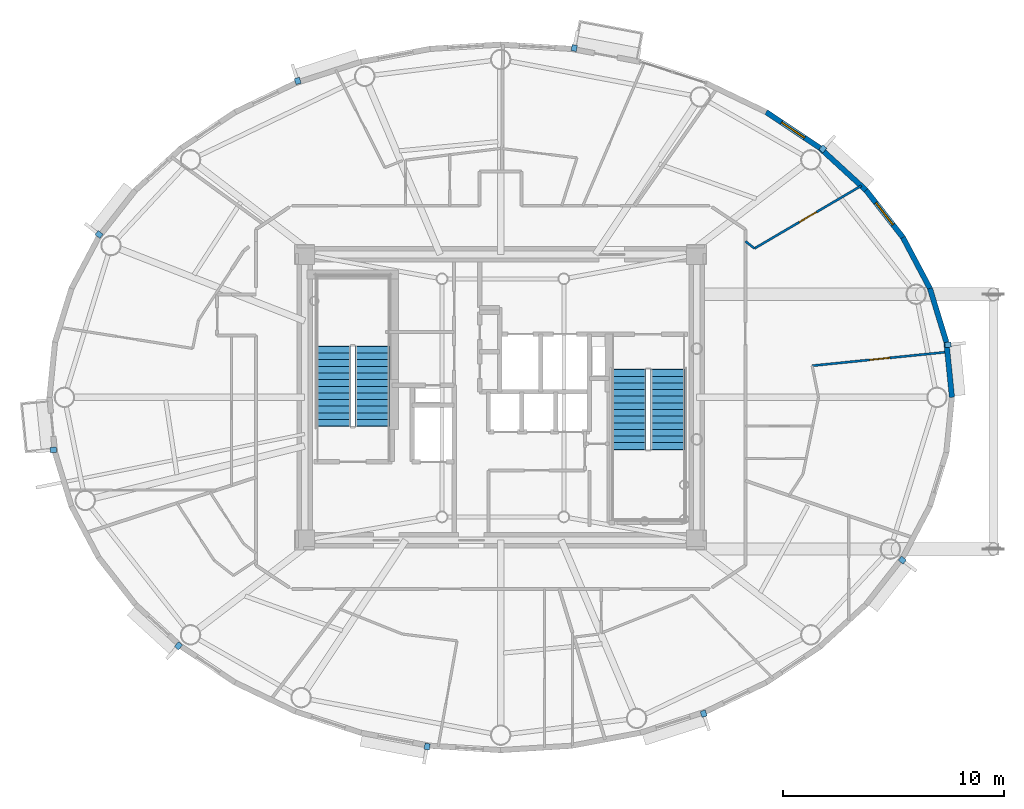
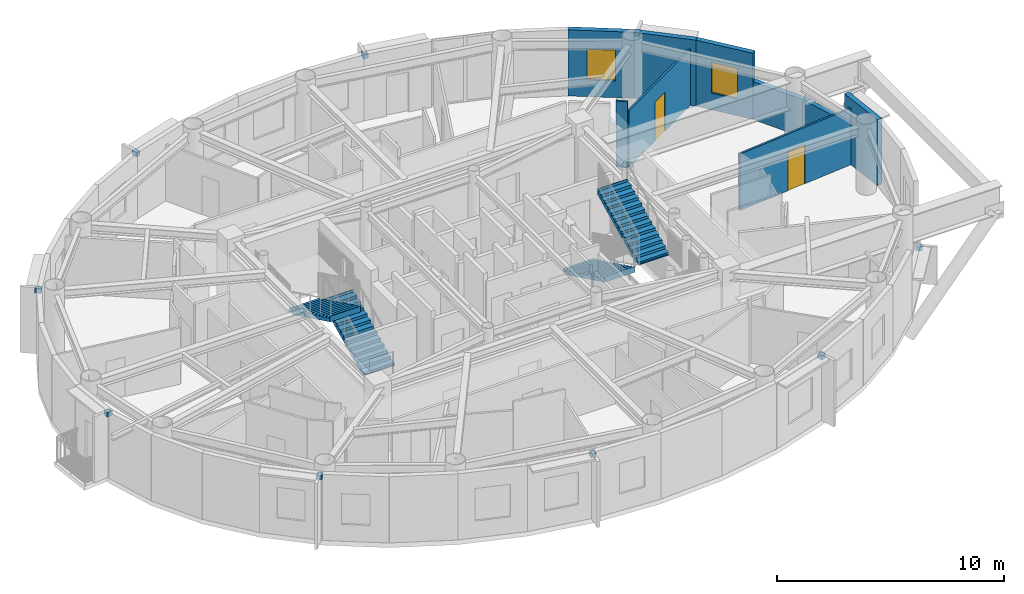
# One storey, part 10 of 17: 10 discrete accessories, 9 walls, 4 stair flights, 2 doors, 2 windows, 4 openings, 2 elements without a shape of their own.
"""IFC4 building model written with IfcOpenShell, lengths in metres."""

import ifcopenshell
import ifcopenshell.guid

model = None  # the IFC model being written
_history = None  # IfcOwnerHistory: only IFC2X3 demands one
_inside = {}  # id of a spatial element -> (the spatial element, [elements in it])
_under = {}  # id of a project, library or spatial element -> (it, [spatial elements below it])
_declared = {}  # id of a project -> (the project, [libraries it declares])
_typed = {}  # id of a type object -> (the type object, [elements of that type])
_made_of = {}  # id of a material, layer set ... -> (it, [elements and type objects made of it])


def new_model(schema):
    """Start an empty IFC model of exactly this schema.

    Asked for "IFC4X3", IfcOpenShell would pick the latest addendum, in which some entities
    have other attributes; the version numbers below select the first issue.
    IFC2X3 requires an IfcOwnerHistory on every rooted entity: one is made here for all.
    """
    global model, _history
    if schema == "IFC4X3":
        model = ifcopenshell.file(schema_version=(4, 3, 0, 0))
    else:
        model = ifcopenshell.file(schema=schema)
    _inside.clear()
    _under.clear()
    _declared.clear()
    _typed.clear()
    _made_of.clear()
    _history = None
    if model.schema == "IFC2X3":
        org = make("IfcOrganization", Name="unknown")
        user = make(
            "IfcPersonAndOrganization",
            ThePerson=make("IfcPerson", FamilyName="unknown"),
            TheOrganization=org,
        )
        app = make(
            "IfcApplication",
            ApplicationDeveloper=org,
            Version="unknown",
            ApplicationFullName="unknown",
            ApplicationIdentifier="unknown",
        )
        _history = make(
            "IfcOwnerHistory",
            OwningUser=user,
            OwningApplication=app,
            ChangeAction="ADDED",
            CreationDate=0,
        )
    return model


def make(cls, **values):
    """One entity of the class cls with the attributes given. An attribute that is None is left unset."""
    return model.create_entity(
        cls, **{name: value for name, value in values.items() if value is not None}
    )


def rooted(cls, **values):
    """An entity with a GlobalId (a new one), such as an element, a storey or a relation."""
    return make(cls, GlobalId=ifcopenshell.guid.new(), OwnerHistory=_history, **values)


def si_unit(unit_type, name, prefix=None):
    """IfcSIUnit, for example si_unit("LENGTHUNIT", "METRE", prefix="MILLI")."""
    return make("IfcSIUnit", UnitType=unit_type, Prefix=prefix, Name=name)


def assignment(units):
    """IfcUnitAssignment: the units of a project."""
    return None if units is None else make("IfcUnitAssignment", Units=units)


def point(xyz):
    """IfcCartesianPoint."""
    return None if xyz is None else make("IfcCartesianPoint", Coordinates=xyz)


def direction(xyz):
    """IfcDirection."""
    return None if xyz is None else make("IfcDirection", DirectionRatios=xyz)


def frame(location, z_axis=None, x_axis=None):
    """IfcAxis2Placement3D, a coordinate frame: its origin and axes. An axis left out is left unset."""
    return make(
        "IfcAxis2Placement3D",
        Location=point(location),
        Axis=direction(z_axis),
        RefDirection=direction(x_axis),
    )


def frame_2d(location, x_axis=None):
    """IfcAxis2Placement2D, a coordinate frame in the plane: its origin and x axis."""
    return make(
        "IfcAxis2Placement2D", Location=point(location), RefDirection=direction(x_axis)
    )


def origin():
    """The frame at (0, 0, 0) with its axes left unset."""
    return frame((0.0, 0.0, 0.0))


def origin_2d():
    """The frame at (0, 0) in the plane with its x axis left unset."""
    return frame_2d((0.0, 0.0))


def place(relative_to, where):
    """IfcLocalPlacement: puts the frame where relative to a parent placement (None: the world)."""
    return make(
        "IfcLocalPlacement", PlacementRelTo=relative_to, RelativePlacement=where
    )


def context(
    kind, dimensions, precision=None, world=None, true_north=None, identifier=None
):
    """IfcGeometricRepresentationContext, for example the 3D "Model" context."""
    return make(
        "IfcGeometricRepresentationContext",
        ContextIdentifier=identifier,
        ContextType=kind,
        CoordinateSpaceDimension=dimensions,
        Precision=precision,
        WorldCoordinateSystem=world,
        TrueNorth=true_north,
    )


def subcontext(parent, identifier, kind, view, scale=None):
    """IfcGeometricRepresentationSubContext, for example "Body" below "Model"."""
    return make(
        "IfcGeometricRepresentationSubContext",
        ContextIdentifier=identifier,
        ContextType=kind,
        ParentContext=parent,
        TargetScale=scale,
        TargetView=view,
    )


def project(units=None, contexts=None):
    """IfcProject with its units and contexts."""
    return rooted(
        "IfcProject",
        Name="project",
        RepresentationContexts=contexts,
        UnitsInContext=assignment(units),
    )


def spatial(cls, under=None, at=None, **own):
    """A site, building, storey or space (cls), placed at a placement, below another one or the project."""
    s = rooted(cls, ObjectPlacement=at, **own)
    if under is not None:
        _under.setdefault(under.id(), (under, []))[1].append(s)
    return s


def polyline(points):
    """IfcPolyline through the points."""
    return make("IfcPolyline", Points=[point(p) for p in points])


def profile(cls, at=None, kind="AREA", **sizes):
    """A parametric profile (cls). Its sizes go by their IFC names, for example OverallWidth=200.0."""
    return make(cls, ProfileType=kind, Position=at, **sizes)


def rectangle(**sizes):
    """IfcRectangleProfileDef."""
    return profile("IfcRectangleProfileDef", **sizes)


def outline(outer, holes=None, kind="AREA"):
    """IfcArbitraryClosedProfileDef: a profile drawn as a closed curve; with holes, ...WithVoids."""
    if holes is None:
        return make("IfcArbitraryClosedProfileDef", ProfileType=kind, OuterCurve=outer)
    return make(
        "IfcArbitraryProfileDefWithVoids",
        ProfileType=kind,
        OuterCurve=outer,
        InnerCurves=holes,
    )


def extrude(swept, where, along, depth):
    """IfcExtrudedAreaSolid: the profile swept, set in the frame where, extruded along a direction by depth."""
    return make(
        "IfcExtrudedAreaSolid",
        SweptArea=swept,
        Position=where,
        ExtrudedDirection=direction(along),
        Depth=depth,
    )


def shape(context_of_items, identifier, shape_type, items):
    """IfcShapeRepresentation: the items that make up one representation, for example the "Body"."""
    return make(
        "IfcShapeRepresentation",
        ContextOfItems=context_of_items,
        RepresentationIdentifier=identifier,
        RepresentationType=shape_type,
        Items=items,
    )


def source(mapping_origin, context_of_items, identifier, shape_type, items):
    """IfcRepresentationMap: a shape defined once, which mapped items show again and again."""
    return make(
        "IfcRepresentationMap",
        MappingOrigin=mapping_origin,
        MappedRepresentation=shape(context_of_items, identifier, shape_type, items),
    )


def transform(
    local_origin,
    x_axis=None,
    y_axis=None,
    z_axis=None,
    scale=None,
    scale2=None,
    scale3=None,
    uniform=True,
):
    """IfcCartesianTransformationOperator3D, or its non-uniform kind. x_axis, y_axis, z_axis: its Axis1, 2, 3."""
    if uniform:
        return make(
            "IfcCartesianTransformationOperator3D",
            Axis1=direction(x_axis),
            Axis2=direction(y_axis),
            LocalOrigin=point(local_origin),
            Scale=scale,
            Axis3=direction(z_axis),
        )
    return make(
        "IfcCartesianTransformationOperator3DnonUniform",
        Axis1=direction(x_axis),
        Axis2=direction(y_axis),
        LocalOrigin=point(local_origin),
        Scale=scale,
        Axis3=direction(z_axis),
        Scale2=scale2,
        Scale3=scale3,
    )


def mapped(mapping_source, mapping_target):
    """IfcMappedItem: shows the shape of a source again, moved by a transform."""
    return make(
        "IfcMappedItem", MappingSource=mapping_source, MappingTarget=mapping_target
    )


def material(Name=None, Category=None):
    """IfcMaterial."""
    return make("IfcMaterial", Name=Name, Category=Category)


def layer(
    of_material, thickness, ventilated=None, Name=None, Category=None, Priority=None
):
    """IfcMaterialLayer: one layer of a wall or slab, of a material (None: an air gap)."""
    return make(
        "IfcMaterialLayer",
        Material=of_material,
        LayerThickness=thickness,
        IsVentilated=ventilated,
        Name=Name,
        Category=Category,
        Priority=Priority,
    )


def layer_set(layers, Name=None):
    """IfcMaterialLayerSet."""
    return make("IfcMaterialLayerSet", MaterialLayers=layers, LayerSetName=Name)


def made_of(thing, what):
    """Note that an element or type object is made of a material, layer set ...; save() writes the relation."""
    if what is not None:
        _made_of.setdefault(what.id(), (what, []))[1].append(thing)
    return thing


def type_object(cls, material=None, **own):
    """A type object (cls), such as IfcWallType, which elements share."""
    return made_of(rooted(cls, **own), material)


def element(
    cls,
    number,
    at=None,
    inside=None,
    cuts=None,
    type_object=None,
    material=None,
    context=None,
    identifier="Body",
    shape_type=None,
    held_by="IfcProductDefinitionShape",
    body=None,
    shapes=None,
    **own,
):
    """One element of the class cls, such as IfcWall. Its Tag is "e" and its number.

    at: its placement. inside: the storey or other place that contains it. cuts: it is an
    opening in that element (IfcRelVoidsElement). A single representation is given by context,
    identifier, shape_type and body (its items); several are given by shapes. held_by: the class
    of the entity that holds the representations. save() writes the other relations.
    """
    e = rooted(cls, Tag="e%d" % number, ObjectPlacement=at, **own)
    if body is not None:
        shapes = [shape(context, identifier, shape_type, body)]
    if shapes is not None:
        e.Representation = make(held_by, Representations=shapes)
    if inside is not None:
        _inside.setdefault(inside.id(), (inside, []))[1].append(e)
    if cuts is not None:
        rooted(
            "IfcRelVoidsElement", RelatingBuildingElement=cuts, RelatedOpeningElement=e
        )
    if type_object is not None:
        _typed.setdefault(type_object.id(), (type_object, []))[1].append(e)
    return made_of(e, material)


def fill(opening, filler):
    """IfcRelFillsElement: the door or window that sits in an opening."""
    return rooted(
        "IfcRelFillsElement",
        RelatingOpeningElement=opening,
        RelatedBuildingElement=filler,
    )


def aggregate(whole, parts):
    """IfcRelAggregates: a whole, such as a stair, and the parts it consists of."""
    return rooted("IfcRelAggregates", RelatingObject=whole, RelatedObjects=parts)


def save(model, path):
    """Write the relations noted so far, then the file.

    IfcRelAggregates (storeys below a building ...), IfcRelContainedInSpatialStructure (elements
    in a storey), IfcRelDefinesByType, IfcRelAssociatesMaterial and IfcRelDeclares: one each for
    every whole, place, type object, material and project.
    """
    for whole, parts in _under.values():
        aggregate(whole, parts)
    for where, things in _inside.values():
        rooted(
            "IfcRelContainedInSpatialStructure",
            RelatedElements=things,
            RelatingStructure=where,
        )
    for kind, things in _typed.values():
        rooted("IfcRelDefinesByType", RelatedObjects=things, RelatingType=kind)
    for what, things in _made_of.values():
        rooted("IfcRelAssociatesMaterial", RelatedObjects=things, RelatingMaterial=what)
    for by, libraries in _declared.values():
        rooted("IfcRelDeclares", RelatingContext=by, RelatedDefinitions=libraries)
    model.write(path)


model = new_model("IFC4")

# Units and contexts
model_context = context("Model", 3, precision=1e-05, world=origin(), true_north=direction((0.0, 1.0)))
body_context = subcontext(model_context, "Body", "Model", "MODEL_VIEW")
ifc_project = project(units=[si_unit("LENGTHUNIT", "METRE"), si_unit("AREAUNIT", "SQUARE_METRE"), si_unit("VOLUMEUNIT", "CUBIC_METRE"), si_unit("PLANEANGLEUNIT", "RADIAN"), si_unit("MASSUNIT", "GRAM", prefix="KILO")], contexts=[model_context])

# Site, building, storey
site_placement = place(None, origin())
site = spatial("IfcSite", under=ifc_project, at=site_placement, CompositionType="ELEMENT")
building_placement = place(site_placement, origin())
building = spatial("IfcBuilding", under=site, at=building_placement, Name="Linh Dai School and Residence Tower", CompositionType="ELEMENT")
storey_placement = place(building_placement, frame((0.0, 0.0, 335.39990234375)))
storey = spatial("IfcBuildingStorey", under=building, at=storey_placement, Name="L83", CompositionType="ELEMENT", Elevation=335.39990234375)

# Walls
ifc_material_1 = material(Name="Precast Concrete B45 (C35/45)", Category="concrete")
ifc_layer_1 = layer(ifc_material_1, 0.239990234375)
ifc_layer_set_1 = layer_set([ifc_layer_1], Name="Precast Concrete B45 (C35/45)")
wall_type_1 = type_object("IfcWallType", Name="EW-TC-240", PredefinedType="SOLIDWALL", material=ifc_layer_set_1)
wall_1_placement = place(storey_placement, frame((56.125, 29.48681640625, 0.0), z_axis=(0.0, 0.0, 1.0), x_axis=(0.100025963401, -0.994984827344, 0.0)))
element("IfcWall", 1, at=wall_1_placement, inside=storey, type_object=wall_type_1, Name="L83 Terracotta Exterior Wall 01", PredefinedType="SOLIDWALL", context=body_context, shape_type="SweptSolid", body=[
    extrude(rectangle(XDim=2.499267578125, YDim=0.239990234375, at=frame_2d((1.24951171875, 0.0))), origin(), (0.0, 0.0, 1.0), 3.550048828125),
])
wall_2_placement = place(storey_placement, frame((55.381103515625, 31.913330078125, 0.0), z_axis=(0.0, 0.0, 1.0), x_axis=(0.293105547213, -0.956080089842, 0.0)))
element("IfcWall", 2, at=wall_2_placement, inside=storey, type_object=wall_type_1, Name="L83 Terracotta Exterior Wall 02", PredefinedType="SOLIDWALL", context=body_context, shape_type="SweptSolid", body=[
    extrude(rectangle(XDim=2.5380859375, YDim=0.239990234375, at=frame_2d((1.26904296875, 0.0))), origin(), (0.0, 0.0, 1.0), 2.03515625),
])
wall_3_placement = place(storey_placement, frame((54.160888671875, 34.220703125, 0.0), z_axis=(0.0, 0.0, 1.0), x_axis=(0.467487999989, -0.883999417345, 0.0)))
element("IfcWall", 3, at=wall_3_placement, inside=storey, type_object=wall_type_1, Name="L83 Terracotta Exterior Wall 03", PredefinedType="SOLIDWALL", context=body_context, shape_type="SweptSolid", body=[
    extrude(rectangle(XDim=2.610107421875, YDim=0.239990234375, at=frame_2d((1.30517578125, 0.0))), origin(), (0.0, 0.0, 1.0), 2.03515625),
])

# Wall, opening, window
wall_4_placement = place(storey_placement, frame((52.4931640625, 36.351806640625, 0.0), z_axis=(0.0, 0.0, 1.0), x_axis=(0.616286367698, -0.78752213492, 0.0)))
wall_4 = element("IfcWall", 4, at=wall_4_placement, inside=storey, type_object=wall_type_1, Name="L83 Terracotta Exterior Wall 04", PredefinedType="SOLIDWALL", context=body_context, shape_type="SweptSolid", body=[
    extrude(rectangle(XDim=2.7060546875, YDim=0.239990234375, at=frame_2d((1.35302734375, 0.0))), origin(), (0.0, 0.0, 1.0), 3.550048828125),
])
opening_1_placement = place(wall_4_placement, frame((0.72802734375, 0.0, 0.89990234375)))
opening_1 = element("IfcOpeningElement", 5, at=opening_1_placement, cuts=wall_4, Name="Opening W3", PredefinedType="OPENING", context=body_context, shape_type="SweptSolid", body=[
    extrude(rectangle(XDim=1.25, YDim=1.64990234375, at=origin_2d()), frame((0.625, 0.1298828125, 0.824951171875), z_axis=(0.0, -1.0, 0.0), x_axis=(1.0, 0.0, 0.0)), (0.0, 0.0, 1.0), 0.260009765625),
])
ifc_material_2 = material(Name="Double Low-E Insulated Glazing", Category="glass")
window_type = type_object("IfcWindowType", Name="WN-RES-1250x1650", PartitioningType="SINGLE_PANEL", PredefinedType="WINDOW", material=ifc_material_2)
shared_shape_1 = source(origin(), body_context, "Body", "SweptSolid", [
    extrude(rectangle(XDim=1.25, YDim=1.64990234375, at=origin_2d()), frame((0.625, 0.030029296875, 0.824951171875), z_axis=(0.0, -1.0, 0.0), x_axis=(1.0, 0.0, 0.0)), (0.0, 0.0, 1.0), 0.06005859375),
])
window_1_placement = place(opening_1_placement, origin())
window_1 = element("IfcWindow", 6, at=window_1_placement, inside=storey, type_object=window_type, Name="L83 Dwelling Window U8307-LIV", OverallHeight=1.64990234375, OverallWidth=1.25, PartitioningType="SINGLE_PANEL", PredefinedType="WINDOW", context=body_context, shape_type="MappedRepresentation", body=[
    mapped(shared_shape_1, transform((0.0, 0.0, 0.0), x_axis=(1.0, 0.0, 0.0), y_axis=(0.0, 1.0, 0.0), z_axis=(0.0, 0.0, 1.0), scale=1.0)),
])
fill(opening_1, window_1)

# Wall
wall_5_placement = place(storey_placement, frame((50.418701171875, 38.254150390625, 0.0), z_axis=(0.0, 0.0, 1.0), x_axis=(0.737020907932, -0.675869944051, 0.0)))
element("IfcWall", 7, at=wall_5_placement, inside=storey, type_object=wall_type_1, Name="L83 Terracotta Exterior Wall 05", PredefinedType="SOLIDWALL", context=body_context, shape_type="SweptSolid", body=[
    extrude(rectangle(XDim=2.814697265625, YDim=0.239990234375, at=frame_2d((1.4072265625, 0.0))), origin(), (0.0, 0.0, 1.0), 3.550048828125),
])

# Wall, opening, window
wall_6_placement = place(storey_placement, frame((47.98779296875, 39.880126953125, 0.0), z_axis=(0.0, 0.0, 1.0), x_axis=(0.831201688654, -0.555970999944, 0.0)))
wall_6 = element("IfcWall", 8, at=wall_6_placement, inside=storey, type_object=wall_type_1, Name="L83 Terracotta Exterior Wall 06", PredefinedType="SOLIDWALL", context=body_context, shape_type="SweptSolid", body=[
    extrude(rectangle(XDim=2.924560546875, YDim=0.239990234375, at=frame_2d((1.46240234375, 0.0))), origin(), (0.0, 0.0, 1.0), 3.550048828125),
])
opening_2_placement = place(wall_6_placement, frame((0.837158203125, 0.0, 0.89990234375)))
opening_2 = element("IfcOpeningElement", 9, at=opening_2_placement, cuts=wall_6, Name="Opening W3", PredefinedType="OPENING", context=body_context, shape_type="SweptSolid", body=[
    extrude(rectangle(XDim=1.25, YDim=1.64990234375, at=origin_2d()), frame((0.625, 0.1298828125, 0.824951171875), z_axis=(0.0, -1.0, 0.0), x_axis=(1.0, 0.0, 0.0)), (0.0, 0.0, 1.0), 0.260009765625),
])
window_2_placement = place(opening_2_placement, origin())
window_2 = element("IfcWindow", 10, at=window_2_placement, inside=storey, type_object=window_type, Name="L83 Exterior Window 06.1", OverallHeight=1.64990234375, OverallWidth=1.25, PartitioningType="SINGLE_PANEL", PredefinedType="WINDOW", context=body_context, shape_type="MappedRepresentation", body=[
    mapped(shared_shape_1, transform((0.0, 0.0, 0.0), x_axis=(1.0, 0.0, 0.0), y_axis=(0.0, 1.0, 0.0), z_axis=(0.0, 0.0, 1.0), scale=1.0)),
])
fill(opening_2, window_2)

# Wall
ifc_material_3 = material(Name="Gypsum Plasterboard Acoustic Stud Partition", Category="masonry")
ifc_layer_2 = layer(ifc_material_3, 0.10009765625)
ifc_layer_set_2 = layer_set([ifc_layer_2], Name="Gypsum Plasterboard Acoustic Stud Partition")
wall_type_2 = type_object("IfcWallType", Name="IW-UNIT-100", PredefinedType="PARTITIONING", material=ifc_layer_set_2)
wall_7_placement = place(storey_placement, frame((47.050048828125, 34.0439453125, 0.0), z_axis=(0.0, 0.0, 1.0), x_axis=(0.787277370311, -0.616599012483, 0.0)))
element("IfcWall", 11, at=wall_7_placement, inside=storey, type_object=wall_type_2, Name="L83 Interior Partition Wall 085", PredefinedType="PARTITIONING", context=body_context, shape_type="SweptSolid", body=[
    extrude(rectangle(XDim=0.520751953125, YDim=0.10009765625, at=frame_2d((0.26025390625, 0.0))), origin(), (0.0, 0.0, 1.0), 3.550048828125),
])

# Wall, opening, door
wall_8_placement = place(storey_placement, frame((47.4599609375, 33.722900390625, 0.0), z_axis=(0.0, 0.0, 1.0), x_axis=(0.862533037069, 0.506000750952, 0.0)))
wall_8 = element("IfcWall", 12, at=wall_8_placement, inside=storey, type_object=wall_type_2, Name="L83 Interior Partition Wall 086", PredefinedType="PARTITIONING", context=body_context, shape_type="SweptSolid", body=[
    extrude(rectangle(XDim=5.591064453125, YDim=0.10009765625, at=frame_2d((2.79541015625, 0.0))), origin(), (0.0, 0.0, 1.0), 3.03515625),
])
opening_3_placement = place(wall_8_placement, frame((2.345458984375, 0.0, 0.0)))
opening_3 = element("IfcOpeningElement", 13, at=opening_3_placement, cuts=wall_8, Name="Opening D05", PredefinedType="OPENING", context=body_context, shape_type="SweptSolid", body=[
    extrude(rectangle(XDim=0.89990234375, YDim=2.10009765625, at=origin_2d()), frame((0.449951171875, 0.06005859375, 1.050048828125), z_axis=(0.0, -1.0, 0.0), x_axis=(1.0, 0.0, 0.0)), (0.0, 0.0, 1.0), 0.1201171875),
])
ifc_material_4 = material(Name="Engineered Timber Internal Door", Category="wood")
door_type = type_object("IfcDoorType", Name="DR-INT-900x2100", OperationType="NOTDEFINED", PredefinedType="DOOR", material=ifc_material_4)
shared_shape_2 = source(origin(), body_context, "Body", "SweptSolid", [
    extrude(rectangle(XDim=0.89990234375, YDim=2.10009765625, at=origin_2d()), frame((0.449951171875, 0.02490234375, 1.050048828125), z_axis=(0.0, -1.0, 0.0), x_axis=(1.0, 0.0, 0.0)), (0.0, 0.0, 1.0), 0.050048828125),
])
door_1_placement = place(opening_3_placement, origin())
door_1 = element("IfcDoor", 14, at=door_1_placement, inside=storey, type_object=door_type, Name="L83 Apartment U8307 Bedroom 2 Door", OperationType="SINGLE_SWING_RIGHT", OverallHeight=2.10009765625, OverallWidth=0.89990234375, PredefinedType="DOOR", context=body_context, shape_type="MappedRepresentation", body=[
    mapped(shared_shape_2, transform((0.0, 0.0, 0.0), x_axis=(1.0, 0.0, 0.0), y_axis=(0.0, 1.0, 0.0), z_axis=(0.0, 0.0, 1.0), scale=1.0)),
])
fill(opening_3, door_1)

wall_9_placement = place(storey_placement, frame((50.061279296875, 28.427001953125, 0.0), z_axis=(0.0, 0.0, 1.0), x_axis=(0.994890167578, 0.100963134143, 0.0)))
wall_9 = element("IfcWall", 15, at=wall_9_placement, inside=storey, type_object=wall_type_2, Name="L83 Interior Partition Wall 090", PredefinedType="PARTITIONING", context=body_context, shape_type="SweptSolid", body=[
    extrude(rectangle(XDim=6.14453125, YDim=0.10009765625, at=frame_2d((3.072265625, 0.0))), origin(), (0.0, 0.0, 1.0), 3.03515625),
])
opening_4_placement = place(wall_9_placement, frame((2.6220703125, 0.0, 0.0)))
opening_4 = element("IfcOpeningElement", 16, at=opening_4_placement, cuts=wall_9, Name="Opening D05", PredefinedType="OPENING", context=body_context, shape_type="SweptSolid", body=[
    extrude(rectangle(XDim=0.89990234375, YDim=2.10009765625, at=origin_2d()), frame((0.449951171875, 0.06005859375, 1.050048828125), z_axis=(0.0, -1.0, 0.0), x_axis=(1.0, 0.0, 0.0)), (0.0, 0.0, 1.0), 0.1201171875),
])
door_2_placement = place(opening_4_placement, origin())
door_2 = element("IfcDoor", 17, at=door_2_placement, inside=storey, type_object=door_type, Name="L83 Apartment U8307 Principal Bedroom 1 Door", OperationType="SINGLE_SWING_LEFT", OverallHeight=2.10009765625, OverallWidth=0.89990234375, PredefinedType="DOOR", context=body_context, shape_type="MappedRepresentation", body=[
    mapped(shared_shape_2, transform((0.0, 0.0, 0.0), x_axis=(1.0, 0.0, 0.0), y_axis=(0.0, 1.0, 0.0), z_axis=(0.0, 0.0, 1.0), scale=1.0)),
])
fill(opening_4, door_2)

# Stair, stair flights
ifc_material_5 = material(Name="Concrete B45 (C35/45)", Category="concrete")
stair_type = type_object("IfcStairType", Name="ST-DOG-1550-R1462", PredefinedType="HALF_TURN_STAIR", material=ifc_material_5)
stair_1_placement = place(storey_placement, origin())
stair_1 = element("IfcStair", 18, at=stair_1_placement, inside=storey, type_object=stair_type, Name="L83 Core Smokeproof Exit Stair ST1", PredefinedType="HALF_TURN_STAIR")
stair_flight_type = type_object("IfcStairFlightType", Name="STF-STR-1550-R1462", PredefinedType="STRAIGHT", material=ifc_material_5)
shared_shape_3 = source(origin(), body_context, "Body", "SweptSolid", [
    extrude(outline(polyline([(-0.02490234375, 0.0), (-0.02490234375, 0.06005859375), (0.0, 0.06005859375), (0.0, 0.146240234375), (0.300048828125, 0.146240234375), (0.300048828125, 0.292236328125), (0.60009765625, 0.292236328125), (0.60009765625, 0.4384765625), (0.89990234375, 0.4384765625), (0.89990234375, 0.584716796875), (1.199951171875, 0.584716796875), (1.199951171875, 0.730712890625), (1.5, 0.730712890625), (1.5, 0.876953125), (1.800048828125, 0.876953125), (1.800048828125, 1.023193359375), (2.10009765625, 1.023193359375), (2.10009765625, 1.169189453125), (2.39990234375, 1.169189453125), (2.39990234375, 1.3154296875), (2.699951171875, 1.3154296875), (2.699951171875, 1.46142578125), (3.0, 1.46142578125), (3.0, 1.607666015625), (3.300048828125, 1.607666015625), (3.300048828125, 1.75390625), (3.60009765625, 1.75390625), (3.60009765625, 1.89990234375), (3.625, 1.89990234375), (3.625, 1.587158203125), (3.60009765625, 1.587158203125), (0.34228515625, 0.0), (-0.02490234375, 0.0)])), frame((0.0, 0.77490234375, 0.0), z_axis=(0.0, -1.0, 0.0), x_axis=(1.0, 0.0, 0.0)), (0.0, 0.0, 1.0), 1.550048828125),
])
stair_flight_1_placement = place(storey_placement, frame((30.205078125, 25.699951171875, 0.0), z_axis=(0.0, 0.0, 1.0), x_axis=(0.0, 1.0, 0.0)))
stair_flight_1 = element("IfcStairFlight", 19, at=stair_flight_1_placement, type_object=stair_flight_type, Name="ST1 flight 1", NumberOfRisers=13, NumberOfTreads=12, PredefinedType="STRAIGHT", RiserHeight=0.146153846, TreadLength=0.3, context=body_context, shape_type="MappedRepresentation", body=[
    mapped(shared_shape_3, transform((0.0, 0.0, 0.0), x_axis=(1.0, 0.0, 0.0), y_axis=(0.0, 1.0, 0.0), z_axis=(0.0, 0.0, 1.0), scale=1.0)),
])
stair_flight_2_placement = place(storey_placement, frame((28.455078125, 29.300048828125, 1.900146484375), z_axis=(0.0, 0.0, 1.0), x_axis=(0.0, -1.0, 0.0)))
stair_flight_2 = element("IfcStairFlight", 20, at=stair_flight_2_placement, type_object=stair_flight_type, Name="ST1 flight 2", NumberOfRisers=13, NumberOfTreads=12, PredefinedType="STRAIGHT", RiserHeight=0.146153846, TreadLength=0.3, context=body_context, shape_type="MappedRepresentation", body=[
    mapped(shared_shape_3, transform((0.0, 0.0, 0.0), x_axis=(1.0, 0.0, 0.0), y_axis=(0.0, 1.0, 0.0), z_axis=(0.0, 0.0, 1.0), scale=1.0)),
])
aggregate(stair_1, [stair_flight_1, stair_flight_2])

stair_2_placement = place(storey_placement, origin())
stair_2 = element("IfcStair", 21, at=stair_2_placement, inside=storey, type_object=stair_type, Name="L83 Core Smokeproof Exit Stair ST2", PredefinedType="HALF_TURN_STAIR")
stair_flight_3_placement = place(storey_placement, frame((41.794921875, 28.25, 0.0), z_axis=(0.0, 0.0, 1.0), x_axis=(0.0, -1.0, 0.0)))
stair_flight_3 = element("IfcStairFlight", 22, at=stair_flight_3_placement, type_object=stair_flight_type, Name="ST2 flight 1", NumberOfRisers=13, NumberOfTreads=12, PredefinedType="STRAIGHT", RiserHeight=0.146153846, TreadLength=0.3, context=body_context, shape_type="MappedRepresentation", body=[
    mapped(shared_shape_3, transform((0.0, 0.0, 0.0), x_axis=(1.0, 0.0, 0.0), y_axis=(0.0, 1.0, 0.0), z_axis=(0.0, 0.0, 1.0), scale=1.0)),
])
stair_flight_4_placement = place(storey_placement, frame((43.544921875, 24.64990234375, 1.900146484375), z_axis=(0.0, 0.0, 1.0), x_axis=(0.0, 1.0, 0.0)))
stair_flight_4 = element("IfcStairFlight", 23, at=stair_flight_4_placement, type_object=stair_flight_type, Name="ST2 flight 2", NumberOfRisers=13, NumberOfTreads=12, PredefinedType="STRAIGHT", RiserHeight=0.146153846, TreadLength=0.3, context=body_context, shape_type="MappedRepresentation", body=[
    mapped(shared_shape_3, transform((0.0, 0.0, 0.0), x_axis=(1.0, 0.0, 0.0), y_axis=(0.0, 1.0, 0.0), z_axis=(0.0, 0.0, 1.0), scale=1.0)),
])
aggregate(stair_2, [stair_flight_3, stair_flight_4])

# Discrete accessories
ifc_material_6 = material(Name="Structural Steel S355JR", Category="steel")
discrete_accessory_type = type_object("IfcDiscreteAccessoryType", Name="ACC-BRK-S355", PredefinedType="BRACKET", material=ifc_material_6)
shared_shape_4 = source(origin(), body_context, "Body", "SweptSolid", [
    extrude(rectangle(XDim=0.280029296875, YDim=0.239990234375, at=origin_2d()), origin(), (0.0, 0.0, 1.0), 0.219970703125),
])
for number, where, z_axis, x_axis, name in (
    (24, (56.19677734375, 29.373291015625, 3.30029296875), (0.0, 0.0, 1.0), (0.994988264886, 0.099991763355, 0.0), "L83 Facade Frame Anchor Bracket 01"),
    (25, (50.547607421875, 38.21728515625, 3.30029296875), (0.0, 0.0, 1.0), (0.675840935412, 0.73704750866, 0.0), "L83 Facade Frame Anchor Bracket 05"),
    (26, (39.320556640625, 42.77001953125, 3.30029296875), (0.0, 0.0, 1.0), (0.184784564405, 0.982779051851, 0.0), "L83 Facade Frame Anchor Bracket 09"),
    (27, (26.835205078125, 41.283203125, 3.30029296875), (0.0, 0.0, 1.0), (-0.30856528097, 0.951203168298, 0.0), "L83 Facade Frame Anchor Bracket 13"),
    (28, (17.86572265625, 34.35205078125, 3.30029296875), (0.0, 0.0, 1.0), (-0.787553267085, 0.616246583361, 0.0), "L83 Facade Frame Anchor Bracket 17"),
    (29, (15.80322265625, 24.626708984375, 3.30029296875), (0.0, 0.0, 1.0), (-0.994988264886, -0.099991763355, 0.0), "L83 Facade Frame Anchor Bracket 21"),
    (30, (21.452392578125, 15.78271484375, 3.30029296875), (0.0, 0.0, 1.0), (-0.675840935412, -0.73704750866, 0.0), "L83 Facade Frame Anchor Bracket 25"),
    (31, (32.679443359375, 11.22998046875, 3.30029296875), (0.0, 0.0, 1.0), (-0.184784564405, -0.982779051851, 0.0), "L83 Facade Frame Anchor Bracket 29"),
    (32, (45.164794921875, 12.716796875, 3.30029296875), (0.0, 0.0, 1.0), (0.30856528097, -0.951203168298, 0.0), "L83 Facade Frame Anchor Bracket 33"),
    (33, (54.13427734375, 19.64794921875, 1.78515625), (0.0, 0.0, 1.0), (0.787553267085, -0.616246583361, 0.0), "L83 Facade Frame Anchor Bracket 37"),
):
    element("IfcDiscreteAccessory", number, at=place(storey_placement, frame(where, z_axis=z_axis, x_axis=x_axis)), inside=storey, type_object=discrete_accessory_type, Name=name, PredefinedType="BRACKET", context=body_context, shape_type="MappedRepresentation", body=[
        mapped(shared_shape_4, transform((0.0, 0.0, 0.0), x_axis=(1.0, 0.0, 0.0), y_axis=(0.0, 1.0, 0.0), z_axis=(0.0, 0.0, 1.0), scale=1.0)),
    ])

save(model, "model.ifc")
